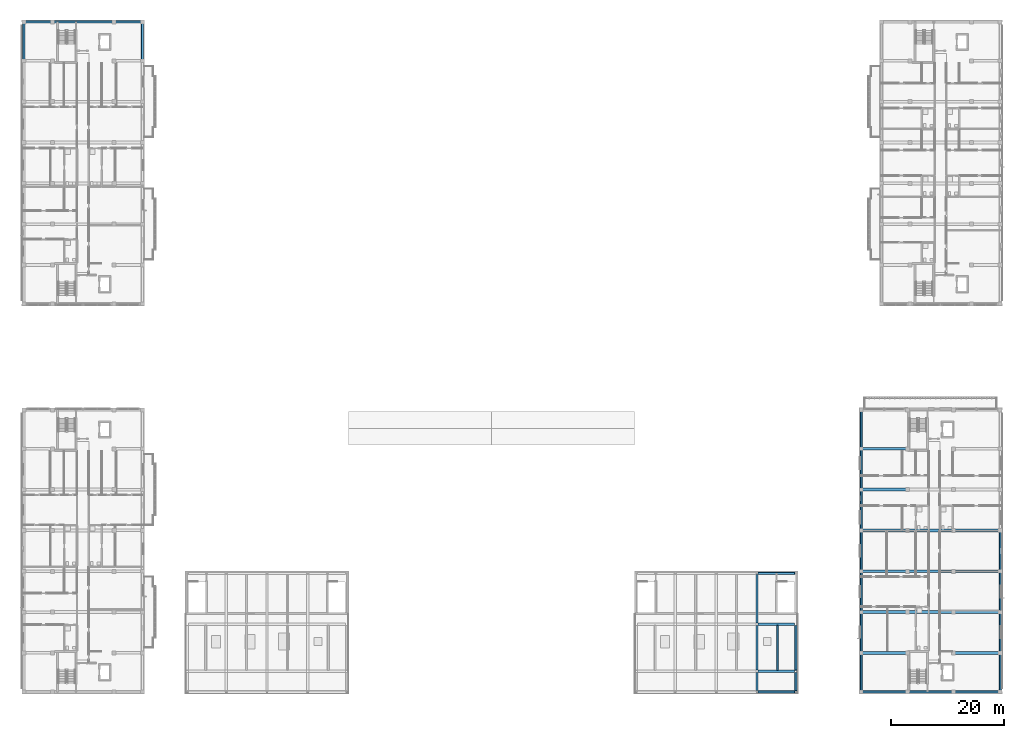
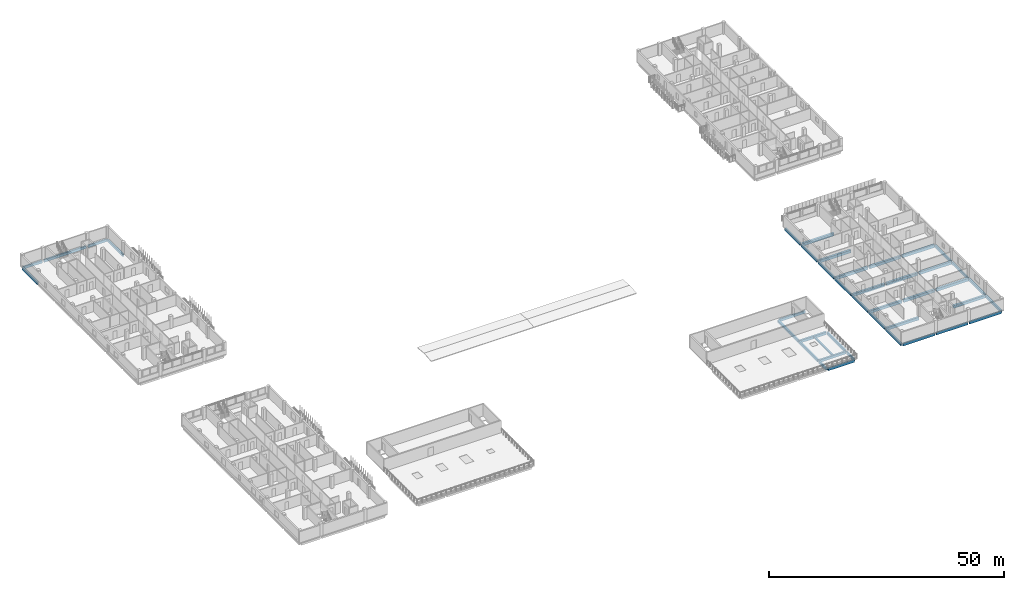
# One storey, part 15 of 56: 42 beams.
"""IFC4 building model written with IfcOpenShell, lengths in metres."""

from ifc_helpers import new_model, si_unit, derived_unit, direction, frame, origin, origin_2d, place, context, subcontext, project, spatial, rectangle, extrude, material, material_profile, profile_set, type_object, element, save


model = new_model("IFC4")

# Units and contexts
model_context = context("Model", 3, precision=1e-05, world=origin(), true_north=direction((0.0, 1.0)))
body_context = subcontext(model_context, "Body", "Model", "MODEL_VIEW")
ifc_project = project(units=[si_unit("LENGTHUNIT", "METRE"), si_unit("AREAUNIT", "SQUARE_METRE"), si_unit("VOLUMEUNIT", "CUBIC_METRE"), si_unit("PLANEANGLEUNIT", "RADIAN"), si_unit("MASSUNIT", "GRAM", prefix="KILO"), derived_unit("THERMALTRANSMITTANCEUNIT", [(si_unit("MASSUNIT", "GRAM", prefix="KILO"), 1), (si_unit("TIMEUNIT", "SECOND"), -3), (si_unit("THERMODYNAMICTEMPERATUREUNIT", "KELVIN"), -1)])], contexts=[model_context])

# Site, building, storey
site_placement = place(None, origin())
site = spatial("IfcSite", under=ifc_project, at=site_placement, CompositionType="ELEMENT")
building_placement = place(site_placement, origin())
building = spatial("IfcBuilding", under=site, at=building_placement, Name="Ochrekiln Boulevard Commons", CompositionType="ELEMENT")
storey_placement = place(building_placement, frame((0.0, 0.0, 12.074951171875)))
storey = spatial("IfcBuildingStorey", under=building, at=storey_placement, Name="L03", CompositionType="ELEMENT", Elevation=12.074951171875)

# Beams
ifc_material_1 = material(Name="Concrete C35/45", Category="concrete")
ifc_material_profile_1 = material_profile(ifc_material_1, rectangle(XDim=0.39990234375, YDim=0.60009765625, at=origin_2d()), Name="RC-BM-400x600")
ifc_profile_set_1 = profile_set([ifc_material_profile_1], Name="Concrete C35/45")
beam_type_1 = type_object("IfcBeamType", Name="BM-RC-400x600", PredefinedType="BEAM", material=ifc_profile_set_1)
beam_1_placement = place(storey_placement, frame((129.60009765625, 0.56005859375, -0.5400390625), z_axis=(0.0, 1.0, 0.0), x_axis=(-1.0, 0.0, 0.0)))
element("IfcBeam", 1, at=beam_1_placement, inside=storey, type_object=beam_type_1, Name="East Boulevard Shops and Arcade L03 Beam B-4060 Y25", PredefinedType="BEAM", context=body_context, shape_type="SweptSolid", body=[
    extrude(rectangle(XDim=0.39990234375, YDim=0.60009765625, at=origin_2d()), origin(), (0.0, 0.0, 1.0), 3.179931640625),
])
beam_2_placement = place(storey_placement, frame((129.60009765625, 4.159912109375, -0.5400390625), z_axis=(0.0, 1.0, 0.0), x_axis=(-1.0, 0.0, 0.0)))
element("IfcBeam", 2, at=beam_2_placement, inside=storey, type_object=beam_type_1, Name="East Boulevard Shops and Arcade L03 Beam B-4060 Y26", PredefinedType="BEAM", context=body_context, shape_type="SweptSolid", body=[
    extrude(rectangle(XDim=0.39990234375, YDim=0.60009765625, at=origin_2d()), origin(), (0.0, 0.0, 1.0), 7.880126953125),
])
beam_3_placement = place(storey_placement, frame((129.60009765625, 12.4599609375, -0.5400390625), z_axis=(0.0, 1.0, 0.0), x_axis=(-1.0, 0.0, 0.0)))
element("IfcBeam", 3, at=beam_3_placement, inside=storey, type_object=beam_type_1, Name="East Boulevard Shops and Arcade L03 Beam B-4060 Y27", PredefinedType="BEAM", context=body_context, shape_type="SweptSolid", body=[
    extrude(rectangle(XDim=0.39990234375, YDim=0.60009765625, at=origin_2d()), origin(), (0.0, 0.0, 1.0), 8.580078125),
])
ifc_material_profile_2 = material_profile(ifc_material_1, rectangle(XDim=0.449951171875, YDim=0.64990234375, at=origin_2d()), Name="RC-BM-450x650")
ifc_profile_set_2 = profile_set([ifc_material_profile_2], Name="Concrete C35/45")
beam_type_2 = type_object("IfcBeamType", Name="BM-RC-450x650", PredefinedType="BEAM", material=ifc_profile_set_2)
for number, where, z_axis, x_axis, name in (
    (4, (129.81005859375, 3.949951171875, -0.56494140625), (1.0, 0.0, 0.0), (0.0, 1.0, 0.0), "East Boulevard Shops and Arcade L03 Beam B-4565 X8"),
    (5, (129.81005859375, 12.25, -0.56494140625), (1.0, 0.0, 0.0), (0.0, 1.0, 0.0), "East Boulevard Shops and Arcade L03 Beam B-4565 X12"),
):
    element("IfcBeam", number, at=place(storey_placement, frame(where, z_axis=z_axis, x_axis=x_axis)), inside=storey, type_object=beam_type_2, Name=name, PredefinedType="BEAM", context=body_context, shape_type="SweptSolid", body=[
        extrude(rectangle(XDim=0.449951171875, YDim=0.64990234375, at=origin_2d()), origin(), (0.0, 0.0, 1.0), 6.429931640625),
    ])
ifc_material_2 = material(Name="Concrete C40/50", Category="concrete")
ifc_material_profile_3 = material_profile(ifc_material_2, rectangle(XDim=0.5, YDim=0.699951171875, at=origin_2d()), Name="RC-BM-500x700")
ifc_profile_set_3 = profile_set([ifc_material_profile_3], Name="Concrete C40/50")
beam_type_3 = type_object("IfcBeamType", Name="BM-RC-500x700", PredefinedType="BEAM", material=ifc_profile_set_3)
for number, where, z_axis, x_axis, name in (
    (6, (148.159912109375, 7.199951171875, -0.60986328125), (1.0, 0.0, 0.0), (0.0, 1.0, 0.0), "Block C L03 Beam B-5070 X4"),
    (7, (164.4599609375, 7.199951171875, -0.60986328125), (1.0, 0.0, 0.0), (0.0, 1.0, 0.0), "Block C L03 Beam B-5070 X5"),
    (8, (148.159912109375, 14.39990234375, -0.60986328125), (1.0, 0.0, 0.0), (0.0, 1.0, 0.0), "Block C L03 Beam B-5070 X6"),
):
    element("IfcBeam", number, at=place(storey_placement, frame(where, z_axis=z_axis, x_axis=x_axis)), inside=storey, type_object=beam_type_3, Name=name, PredefinedType="BEAM", context=body_context, shape_type="SweptSolid", body=[
        extrude(rectangle(XDim=0.5, YDim=0.699951171875, at=origin_2d()), origin(), (0.0, 0.0, 1.0), 7.780029296875),
    ])
beam_4_placement = place(storey_placement, frame((156.360107421875, 14.39990234375, -0.60986328125), z_axis=(1.0, 0.0, 0.0), x_axis=(0.0, 1.0, 0.0)))
element("IfcBeam", 9, at=beam_4_placement, inside=storey, type_object=beam_type_3, Name="Block C L03 Beam B-5070 X7", PredefinedType="BEAM", context=body_context, shape_type="SweptSolid", body=[
    extrude(rectangle(XDim=0.5, YDim=0.699951171875, at=origin_2d()), origin(), (0.0, 0.0, 1.0), 7.679931640625),
])
for number, where, z_axis, x_axis, name in (
    (10, (164.4599609375, 14.39990234375, -0.60986328125), (1.0, 0.0, 0.0), (0.0, 1.0, 0.0), "Block C L03 Beam B-5070 X8"),
    (11, (148.159912109375, 21.60009765625, -0.60986328125), (1.0, 0.0, 0.0), (0.0, 1.0, 0.0), "Block C L03 Beam B-5070 X9"),
):
    element("IfcBeam", number, at=place(storey_placement, frame(where, z_axis=z_axis, x_axis=x_axis)), inside=storey, type_object=beam_type_3, Name=name, PredefinedType="BEAM", context=body_context, shape_type="SweptSolid", body=[
        extrude(rectangle(XDim=0.5, YDim=0.699951171875, at=origin_2d()), origin(), (0.0, 0.0, 1.0), 7.780029296875),
    ])
beam_5_placement = place(storey_placement, frame((156.360107421875, 21.60009765625, -0.60986328125), z_axis=(1.0, 0.0, 0.0), x_axis=(0.0, 1.0, 0.0)))
element("IfcBeam", 12, at=beam_5_placement, inside=storey, type_object=beam_type_3, Name="Block C L03 Beam B-5070 X10", PredefinedType="BEAM", context=body_context, shape_type="SweptSolid", body=[
    extrude(rectangle(XDim=0.5, YDim=0.699951171875, at=origin_2d()), origin(), (0.0, 0.0, 1.0), 7.679931640625),
])
for number, where, z_axis, x_axis, name in (
    (13, (164.4599609375, 21.60009765625, -0.60986328125), (1.0, 0.0, 0.0), (0.0, 1.0, 0.0), "Block C L03 Beam B-5070 X11"),
    (14, (148.159912109375, 28.800048828125, -0.60986328125), (1.0, 0.0, 0.0), (0.0, 1.0, 0.0), "Block C L03 Beam B-5070 X12"),
):
    element("IfcBeam", number, at=place(storey_placement, frame(where, z_axis=z_axis, x_axis=x_axis)), inside=storey, type_object=beam_type_3, Name=name, PredefinedType="BEAM", context=body_context, shape_type="SweptSolid", body=[
        extrude(rectangle(XDim=0.5, YDim=0.699951171875, at=origin_2d()), origin(), (0.0, 0.0, 1.0), 7.780029296875),
    ])
beam_6_placement = place(storey_placement, frame((156.360107421875, 28.800048828125, -0.60986328125), z_axis=(1.0, 0.0, 0.0), x_axis=(0.0, 1.0, 0.0)))
element("IfcBeam", 15, at=beam_6_placement, inside=storey, type_object=beam_type_3, Name="Block C L03 Beam B-5070 X13", PredefinedType="BEAM", context=body_context, shape_type="SweptSolid", body=[
    extrude(rectangle(XDim=0.5, YDim=0.699951171875, at=origin_2d()), origin(), (0.0, 0.0, 1.0), 7.679931640625),
])
for number, where, z_axis, x_axis, name in (
    (16, (164.4599609375, 28.800048828125, -0.60986328125), (1.0, 0.0, 0.0), (0.0, 1.0, 0.0), "Block C L03 Beam B-5070 X14"),
    (17, (148.159912109375, 36.0, -0.60986328125), (1.0, 0.0, 0.0), (0.0, 1.0, 0.0), "Block C L03 Beam B-5070 X15"),
    (18, (148.159912109375, 43.199951171875, -0.60986328125), (1.0, 0.0, 0.0), (0.0, 1.0, 0.0), "Block C L03 Beam B-5070 X18"),
):
    element("IfcBeam", number, at=place(storey_placement, frame(where, z_axis=z_axis, x_axis=x_axis)), inside=storey, type_object=beam_type_3, Name=name, PredefinedType="BEAM", context=body_context, shape_type="SweptSolid", body=[
        extrude(rectangle(XDim=0.5, YDim=0.699951171875, at=origin_2d()), origin(), (0.0, 0.0, 1.0), 7.780029296875),
    ])
ifc_material_profile_4 = material_profile(ifc_material_1, rectangle(XDim=0.300048828125, YDim=0.449951171875, at=origin_2d()), Name="RC-JST-300x450")
ifc_profile_set_4 = profile_set([ifc_material_profile_4], Name="Concrete C35/45")
beam_type_4 = type_object("IfcBeamType", Name="JST-RC-300x450", PredefinedType="JOIST", material=ifc_profile_set_4)
beam_7_placement = place(storey_placement, frame((133.199951171875, 4.1201171875, -0.46484375), z_axis=(0.0, 1.0, 0.0), x_axis=(-1.0, 0.0, 0.0)))
element("IfcBeam", 19, at=beam_7_placement, inside=storey, type_object=beam_type_4, Name="Boulevard Arcade L03 Floor Joist J-3045 (36)", PredefinedType="JOIST", context=body_context, shape_type="SweptSolid", body=[
    extrude(rectangle(XDim=0.300048828125, YDim=0.449951171875, at=origin_2d()), origin(), (0.0, 0.0, 1.0), 7.9599609375),
])
ifc_material_profile_5 = material_profile(ifc_material_2, rectangle(XDim=0.35009765625, YDim=0.64990234375, at=origin_2d()), Name="RC-SPN-350x650")
ifc_profile_set_5 = profile_set([ifc_material_profile_5], Name="Concrete C40/50")
beam_type_5 = type_object("IfcBeamType", Name="SPN-RC-350x650", PredefinedType="SPANDREL", material=ifc_profile_set_5)
beam_8_placement = place(storey_placement, frame((0.56005859375, 118.449951171875, -0.5849609375), z_axis=(1.0, 0.0, 0.0), x_axis=(0.0, 1.0, 0.0)))
element("IfcBeam", 20, at=beam_8_placement, inside=storey, type_object=beam_type_5, Name="Block A L03 Beam SP-3565 X20", PredefinedType="SPANDREL", context=body_context, shape_type="SweptSolid", body=[
    extrude(rectangle(XDim=0.35009765625, YDim=0.64990234375, at=origin_2d()), origin(), (0.0, 0.0, 1.0), 4.6298828125),
])
beam_9_placement = place(storey_placement, frame((5.610107421875, 118.449951171875, -0.5849609375), z_axis=(1.0, 0.0, 0.0), x_axis=(0.0, 1.0, 0.0)))
element("IfcBeam", 21, at=beam_9_placement, inside=storey, type_object=beam_type_5, Name="Block A L03 Beam SP-3565 X21", PredefinedType="SPANDREL", context=body_context, shape_type="SweptSolid", body=[
    extrude(rectangle(XDim=0.35009765625, YDim=0.64990234375, at=origin_2d()), origin(), (0.0, 0.0, 1.0), 10.3798828125),
])
beam_10_placement = place(storey_placement, frame((16.409912109375, 118.449951171875, -0.5849609375), z_axis=(1.0, 0.0, 0.0), x_axis=(0.0, 1.0, 0.0)))
element("IfcBeam", 22, at=beam_10_placement, inside=storey, type_object=beam_type_5, Name="Block A L03 Beam SP-3565 X22", PredefinedType="SPANDREL", context=body_context, shape_type="SweptSolid", body=[
    extrude(rectangle(XDim=0.35009765625, YDim=0.64990234375, at=origin_2d()), origin(), (0.0, 0.0, 1.0), 4.630126953125),
])
for number, where, z_axis, x_axis, name in (
    (23, (0.35009765625, 111.81005859375, -0.5849609375), (0.0, 1.0, 0.0), (-1.0, 0.0, 0.0), "Block A L03 Beam SP-3565 Y29"),
    (24, (21.25, 111.81005859375, -0.5849609375), (0.0, 1.0, 0.0), (-1.0, 0.0, 0.0), "Block A L03 Beam SP-3565 Y36"),
):
    element("IfcBeam", number, at=place(storey_placement, frame(where, z_axis=z_axis, x_axis=x_axis)), inside=storey, type_object=beam_type_5, Name=name, PredefinedType="SPANDREL", context=body_context, shape_type="SweptSolid", body=[
        extrude(rectangle(XDim=0.35009765625, YDim=0.64990234375, at=origin_2d()), origin(), (0.0, 0.0, 1.0), 6.429931640625),
    ])
beam_11_placement = place(storey_placement, frame((148.159912109375, 0.35009765625, -0.5849609375), z_axis=(1.0, 0.0, 0.0), x_axis=(0.0, 1.0, 0.0)))
element("IfcBeam", 25, at=beam_11_placement, inside=storey, type_object=beam_type_5, Name="Block C L03 Beam SP-3565 X1", PredefinedType="SPANDREL", context=body_context, shape_type="SweptSolid", body=[
    extrude(rectangle(XDim=0.35009765625, YDim=0.64990234375, at=origin_2d()), origin(), (0.0, 0.0, 1.0), 7.780029296875),
])
beam_12_placement = place(storey_placement, frame((156.360107421875, 0.35009765625, -0.5849609375), z_axis=(1.0, 0.0, 0.0), x_axis=(0.0, 1.0, 0.0)))
element("IfcBeam", 26, at=beam_12_placement, inside=storey, type_object=beam_type_5, Name="Block C L03 Beam SP-3565 X2", PredefinedType="SPANDREL", context=body_context, shape_type="SweptSolid", body=[
    extrude(rectangle(XDim=0.35009765625, YDim=0.64990234375, at=origin_2d()), origin(), (0.0, 0.0, 1.0), 7.679931640625),
])
beam_13_placement = place(storey_placement, frame((164.4599609375, 0.35009765625, -0.5849609375), z_axis=(1.0, 0.0, 0.0), x_axis=(0.0, 1.0, 0.0)))
element("IfcBeam", 27, at=beam_13_placement, inside=storey, type_object=beam_type_5, Name="Block C L03 Beam SP-3565 X3", PredefinedType="SPANDREL", context=body_context, shape_type="SweptSolid", body=[
    extrude(rectangle(XDim=0.35009765625, YDim=0.64990234375, at=origin_2d()), origin(), (0.0, 0.0, 1.0), 7.780029296875),
])
beam_14_placement = place(storey_placement, frame((147.949951171875, 0.56005859375, -0.5849609375), z_axis=(0.0, 1.0, 0.0), x_axis=(-1.0, 0.0, 0.0)))
element("IfcBeam", 28, at=beam_14_placement, inside=storey, type_object=beam_type_5, Name="Block C L03 Beam SP-3565 Y23", PredefinedType="SPANDREL", context=body_context, shape_type="SweptSolid", body=[
    extrude(rectangle(XDim=0.35009765625, YDim=0.64990234375, at=origin_2d()), origin(), (0.0, 0.0, 1.0), 6.429931640625),
])
beam_15_placement = place(storey_placement, frame((147.949951171875, 7.409912109375, -0.5849609375), z_axis=(0.0, 1.0, 0.0), x_axis=(-1.0, 0.0, 0.0)))
element("IfcBeam", 29, at=beam_15_placement, inside=storey, type_object=beam_type_5, Name="Block C L03 Beam SP-3565 Y24", PredefinedType="SPANDREL", context=body_context, shape_type="SweptSolid", body=[
    extrude(rectangle(XDim=0.35009765625, YDim=0.64990234375, at=origin_2d()), origin(), (0.0, 0.0, 1.0), 6.780029296875),
])
beam_16_placement = place(storey_placement, frame((147.949951171875, 14.610107421875, -0.5849609375), z_axis=(0.0, 1.0, 0.0), x_axis=(-1.0, 0.0, 0.0)))
element("IfcBeam", 30, at=beam_16_placement, inside=storey, type_object=beam_type_5, Name="Block C L03 Beam SP-3565 Y25", PredefinedType="SPANDREL", context=body_context, shape_type="SweptSolid", body=[
    extrude(rectangle(XDim=0.35009765625, YDim=0.64990234375, at=origin_2d()), origin(), (0.0, 0.0, 1.0), 6.77978515625),
])
for number, where, z_axis, x_axis, name in (
    (31, (147.949951171875, 21.81005859375, -0.5849609375), (0.0, 1.0, 0.0), (-1.0, 0.0, 0.0), "Block C L03 Beam SP-3565 Y26"),
    (32, (147.949951171875, 29.010009765625, -0.5849609375), (0.0, 1.0, 0.0), (-1.0, 0.0, 0.0), "Block C L03 Beam SP-3565 Y27"),
    (33, (147.949951171875, 36.2099609375, -0.5849609375), (0.0, 1.0, 0.0), (-1.0, 0.0, 0.0), "Block C L03 Beam SP-3565 Y28"),
):
    element("IfcBeam", number, at=place(storey_placement, frame(where, z_axis=z_axis, x_axis=x_axis)), inside=storey, type_object=beam_type_5, Name=name, PredefinedType="SPANDREL", context=body_context, shape_type="SweptSolid", body=[
        extrude(rectangle(XDim=0.35009765625, YDim=0.64990234375, at=origin_2d()), origin(), (0.0, 0.0, 1.0), 6.780029296875),
    ])
beam_17_placement = place(storey_placement, frame((147.949951171875, 43.409912109375, -0.5849609375), z_axis=(0.0, 1.0, 0.0), x_axis=(-1.0, 0.0, 0.0)))
element("IfcBeam", 34, at=beam_17_placement, inside=storey, type_object=beam_type_5, Name="Block C L03 Beam SP-3565 Y29", PredefinedType="SPANDREL", context=body_context, shape_type="SweptSolid", body=[
    extrude(rectangle(XDim=0.35009765625, YDim=0.64990234375, at=origin_2d()), origin(), (0.0, 0.0, 1.0), 6.43017578125),
])
beam_18_placement = place(storey_placement, frame((172.449951171875, 0.56005859375, -0.5849609375), z_axis=(0.0, 1.0, 0.0), x_axis=(-1.0, 0.0, 0.0)))
element("IfcBeam", 35, at=beam_18_placement, inside=storey, type_object=beam_type_5, Name="Block C L03 Beam SP-3565 Y30", PredefinedType="SPANDREL", context=body_context, shape_type="SweptSolid", body=[
    extrude(rectangle(XDim=0.35009765625, YDim=0.64990234375, at=origin_2d()), origin(), (0.0, 0.0, 1.0), 6.429931640625),
])
beam_19_placement = place(storey_placement, frame((172.449951171875, 7.409912109375, -0.5849609375), z_axis=(0.0, 1.0, 0.0), x_axis=(-1.0, 0.0, 0.0)))
element("IfcBeam", 36, at=beam_19_placement, inside=storey, type_object=beam_type_5, Name="Block C L03 Beam SP-3565 Y31", PredefinedType="SPANDREL", context=body_context, shape_type="SweptSolid", body=[
    extrude(rectangle(XDim=0.35009765625, YDim=0.64990234375, at=origin_2d()), origin(), (0.0, 0.0, 1.0), 6.780029296875),
])
beam_20_placement = place(storey_placement, frame((172.449951171875, 14.610107421875, -0.5849609375), z_axis=(0.0, 1.0, 0.0), x_axis=(-1.0, 0.0, 0.0)))
element("IfcBeam", 37, at=beam_20_placement, inside=storey, type_object=beam_type_5, Name="Block C L03 Beam SP-3565 Y32", PredefinedType="SPANDREL", context=body_context, shape_type="SweptSolid", body=[
    extrude(rectangle(XDim=0.35009765625, YDim=0.64990234375, at=origin_2d()), origin(), (0.0, 0.0, 1.0), 6.77978515625),
])
beam_21_placement = place(storey_placement, frame((172.449951171875, 21.81005859375, -0.5849609375), z_axis=(0.0, 1.0, 0.0), x_axis=(-1.0, 0.0, 0.0)))
element("IfcBeam", 38, at=beam_21_placement, inside=storey, type_object=beam_type_5, Name="Block C L03 Beam SP-3565 Y33", PredefinedType="SPANDREL", context=body_context, shape_type="SweptSolid", body=[
    extrude(rectangle(XDim=0.35009765625, YDim=0.64990234375, at=origin_2d()), origin(), (0.0, 0.0, 1.0), 6.780029296875),
])
for number, where, z_axis, x_axis, name in (
    (39, (129.81005859375, 0.35009765625, -0.56494140625), (1.0, 0.0, 0.0), (0.0, 1.0, 0.0), "East Boulevard Shops and Arcade L03 Beam SP-3565 X4"),
    (40, (129.81005859375, 21.25, -0.56494140625), (1.0, 0.0, 0.0), (0.0, 1.0, 0.0), "East Boulevard Shops and Arcade L03 Beam SP-3565 X16"),
):
    element("IfcBeam", number, at=place(storey_placement, frame(where, z_axis=z_axis, x_axis=x_axis)), inside=storey, type_object=beam_type_5, Name=name, PredefinedType="SPANDREL", context=body_context, shape_type="SweptSolid", body=[
        extrude(rectangle(XDim=0.35009765625, YDim=0.64990234375, at=origin_2d()), origin(), (0.0, 0.0, 1.0), 6.429931640625),
    ])
beam_22_placement = place(storey_placement, frame((136.449951171875, 0.56005859375, -0.56494140625), z_axis=(0.0, 1.0, 0.0), x_axis=(-1.0, 0.0, 0.0)))
element("IfcBeam", 41, at=beam_22_placement, inside=storey, type_object=beam_type_5, Name="East Boulevard Shops and Arcade L03 Beam SP-3565 Y28", PredefinedType="SPANDREL", context=body_context, shape_type="SweptSolid", body=[
    extrude(rectangle(XDim=0.35009765625, YDim=0.64990234375, at=origin_2d()), origin(), (0.0, 0.0, 1.0), 3.179931640625),
])
beam_23_placement = place(storey_placement, frame((136.449951171875, 4.159912109375, -0.56494140625), z_axis=(0.0, 1.0, 0.0), x_axis=(-1.0, 0.0, 0.0)))
element("IfcBeam", 42, at=beam_23_placement, inside=storey, type_object=beam_type_5, Name="East Boulevard Shops and Arcade L03 Beam SP-3565 Y29", PredefinedType="SPANDREL", context=body_context, shape_type="SweptSolid", body=[
    extrude(rectangle(XDim=0.35009765625, YDim=0.64990234375, at=origin_2d()), origin(), (0.0, 0.0, 1.0), 7.880126953125),
])

save(model, "model.ifc")
